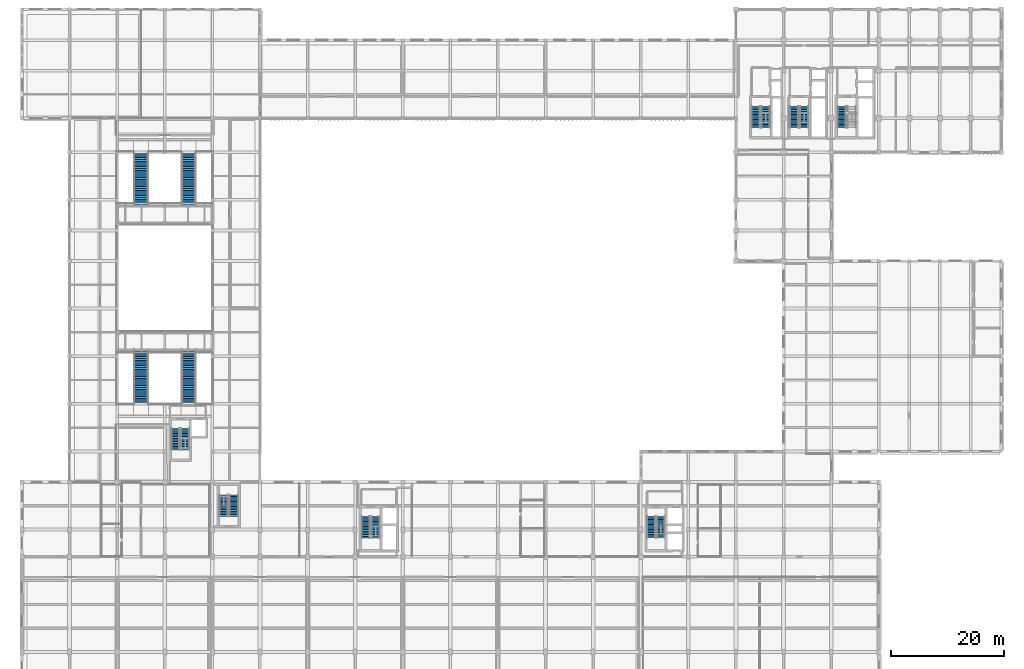
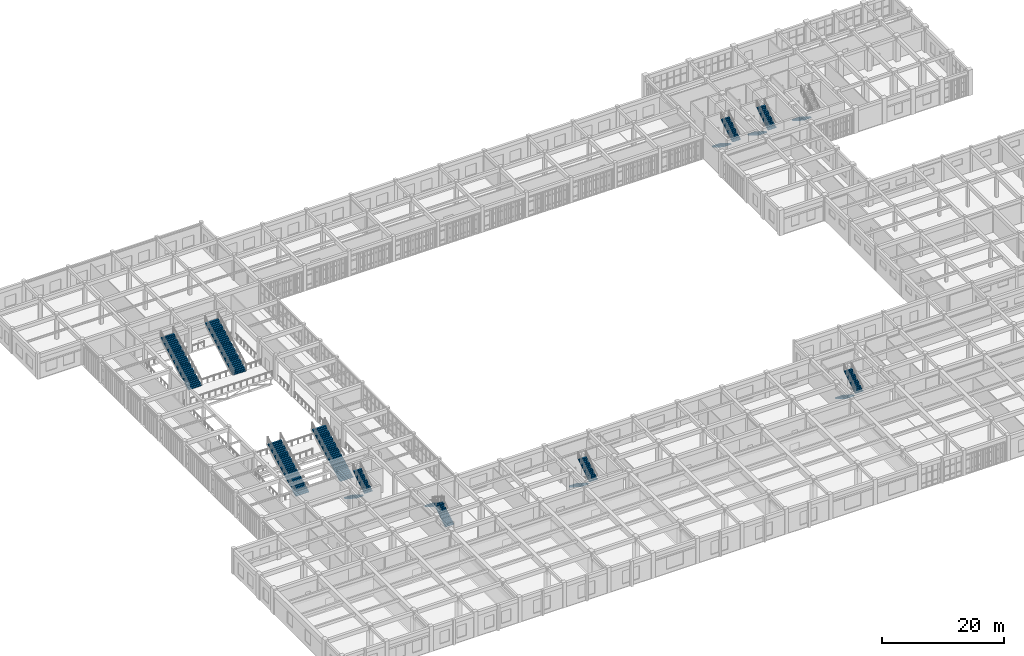
# One storey, part 98 of 106: 17 stair flights, 11 elements without a shape of their own.
"""IFC4 building model written with IfcOpenShell, lengths in metres."""

from ifc_helpers import new_model, si_unit, direction, frame, origin, place, context, subcontext, project, spatial, polyline, outline, extrude, material, type_object, element, aggregate, save


model = new_model("IFC4")

# Units and contexts
model_context = context("Model", 3, precision=1e-05, world=origin(), true_north=direction((0.0, 1.0)))
body_context = subcontext(model_context, "Body", "Model", "MODEL_VIEW")
ifc_project = project(units=[si_unit("LENGTHUNIT", "METRE"), si_unit("AREAUNIT", "SQUARE_METRE"), si_unit("VOLUMEUNIT", "CUBIC_METRE"), si_unit("PLANEANGLEUNIT", "RADIAN"), si_unit("MASSUNIT", "GRAM", prefix="KILO")], contexts=[model_context])

# Site, building, storey
site_placement = place(None, origin())
site = spatial("IfcSite", under=ifc_project, at=site_placement, CompositionType="ELEMENT")
building_placement = place(site_placement, origin())
building = spatial("IfcBuilding", under=site, at=building_placement, Name="Krzemoval Escarpment Law Courts", CompositionType="ELEMENT")
storey_placement = place(building_placement, frame((0.0, 0.0, 5.10009765625)))
storey = spatial("IfcBuildingStorey", under=building, at=storey_placement, Name="L01", CompositionType="ELEMENT", Elevation=5.10009765625)

# Stair, stair flights
ifc_material_1 = material(Name="Concrete C40/50", Category="concrete")
stair_type_1 = type_object("IfcStairType", Name="STR-CORE-1500", PredefinedType="HALF_TURN_STAIR", material=ifc_material_1)
stair_1_placement = place(storey_placement, origin())
stair_1 = element("IfcStair", 1, at=stair_1_placement, inside=storey, type_object=stair_type_1, Name="L01 ST5", PredefinedType="HALF_TURN_STAIR")
ifc_material_2 = material(Name="Concrete C40/50", Category="concrete")
stair_flight_type_1 = type_object("IfcStairFlightType", Name="STF-CORE-1500", PredefinedType="STRAIGHT", material=ifc_material_2)
stair_flight_1_placement = place(storey_placement, frame((27.10009765625, 44.85009765625, 0.0), z_axis=(0.0, 0.0, 1.0), x_axis=(0.0, -1.0, 0.0)))
stair_flight_1 = element("IfcStairFlight", 2, at=stair_flight_1_placement, type_object=stair_flight_type_1, Name="ST5 flight 1", NumberOfRisers=14, NumberOfTreads=13, PredefinedType="STRAIGHT", RiserHeight=0.182142857, TreadLength=0.29, context=body_context, shape_type="SweptSolid", body=[
    extrude(outline(polyline([(0.0, 0.0), (0.0, 0.18212890625), (0.2900390625, 0.18212890625), (0.2900390625, 0.3642578125), (0.580078125, 0.3642578125), (0.580078125, 0.54638671875), (0.8701171875, 0.54638671875), (0.8701171875, 0.728515625), (1.159912109375, 0.728515625), (1.159912109375, 0.91064453125), (1.449951171875, 0.91064453125), (1.449951171875, 1.0927734375), (1.739990234375, 1.0927734375), (1.739990234375, 1.27490234375), (2.030029296875, 1.27490234375), (2.030029296875, 1.45703125), (2.320068359375, 1.45703125), (2.320068359375, 1.639404296875), (2.610107421875, 1.639404296875), (2.610107421875, 1.821533203125), (2.89990234375, 1.821533203125), (2.89990234375, 2.003662109375), (3.18994140625, 2.003662109375), (3.18994140625, 2.185791015625), (3.47998046875, 2.185791015625), (3.47998046875, 2.367919921875), (3.77001953125, 2.367919921875), (3.77001953125, 2.550048828125), (3.77001953125, 2.19091796875), (0.28173828125, 0.0), (0.0, 0.0)])), frame((0.0, 0.75, 0.0), z_axis=(0.0, -1.0, 0.0), x_axis=(1.0, 0.0, 0.0)), (0.0, 0.0, 1.0), 1.5),
])
stair_flight_2_placement = place(storey_placement, frame((28.800048828125, 41.080078125, 2.5498046875), z_axis=(0.0, 0.0, 1.0), x_axis=(0.0, 1.0, 0.0)))
stair_flight_2 = element("IfcStairFlight", 3, at=stair_flight_2_placement, type_object=stair_flight_type_1, Name="ST5 flight 2", NumberOfRisers=14, NumberOfTreads=13, PredefinedType="STRAIGHT", RiserHeight=0.182142857, TreadLength=0.29, context=body_context, shape_type="SweptSolid", body=[
    extrude(outline(polyline([(0.0, 0.0), (0.0, 0.18212890625), (0.2900390625, 0.18212890625), (0.2900390625, 0.3642578125), (0.580078125, 0.3642578125), (0.580078125, 0.54638671875), (0.8701171875, 0.54638671875), (0.8701171875, 0.728515625), (1.159912109375, 0.728515625), (1.159912109375, 0.91064453125), (1.449951171875, 0.91064453125), (1.449951171875, 1.0927734375), (1.739990234375, 1.0927734375), (1.739990234375, 1.27490234375), (2.030029296875, 1.27490234375), (2.030029296875, 1.45703125), (2.320068359375, 1.45703125), (2.320068359375, 1.639404296875), (2.610107421875, 1.639404296875), (2.610107421875, 1.821533203125), (2.89990234375, 1.821533203125), (2.89990234375, 2.003662109375), (3.18994140625, 2.003662109375), (3.18994140625, 2.185791015625), (3.47998046875, 2.185791015625), (3.47998046875, 2.367919921875), (3.77001953125, 2.367919921875), (3.77001953125, 2.550048828125), (3.77001953125, 2.19091796875), (0.28173828125, 0.0), (0.0, 0.0)])), frame((0.0, 0.75, 0.0), z_axis=(0.0, -1.0, 0.0), x_axis=(1.0, 0.0, 0.0)), (0.0, 0.0, 1.0), 1.5),
])
aggregate(stair_1, [stair_flight_1, stair_flight_2])

stair_2_placement = place(storey_placement, origin())
stair_2 = element("IfcStair", 4, at=stair_2_placement, inside=storey, type_object=stair_type_1, Name="L01 ST6", PredefinedType="HALF_TURN_STAIR")
stair_flight_3_placement = place(storey_placement, frame((111.050048828125, 29.35009765625, 0.0), z_axis=(0.0, 0.0, 1.0), x_axis=(0.0, -1.0, 0.0)))
stair_flight_3 = element("IfcStairFlight", 5, at=stair_flight_3_placement, type_object=stair_flight_type_1, Name="ST6 flight 1", NumberOfRisers=14, NumberOfTreads=13, PredefinedType="STRAIGHT", RiserHeight=0.182142857, TreadLength=0.29, context=body_context, shape_type="SweptSolid", body=[
    extrude(outline(polyline([(0.0, 0.0), (0.0, 0.18212890625), (0.2900390625, 0.18212890625), (0.2900390625, 0.3642578125), (0.580078125, 0.3642578125), (0.580078125, 0.54638671875), (0.8701171875, 0.54638671875), (0.8701171875, 0.728515625), (1.159912109375, 0.728515625), (1.159912109375, 0.91064453125), (1.449951171875, 0.91064453125), (1.449951171875, 1.0927734375), (1.739990234375, 1.0927734375), (1.739990234375, 1.27490234375), (2.030029296875, 1.27490234375), (2.030029296875, 1.45703125), (2.320068359375, 1.45703125), (2.320068359375, 1.639404296875), (2.610107421875, 1.639404296875), (2.610107421875, 1.821533203125), (2.89990234375, 1.821533203125), (2.89990234375, 2.003662109375), (3.18994140625, 2.003662109375), (3.18994140625, 2.185791015625), (3.47998046875, 2.185791015625), (3.47998046875, 2.367919921875), (3.77001953125, 2.367919921875), (3.77001953125, 2.550048828125), (3.77001953125, 2.19091796875), (0.28173828125, 0.0), (0.0, 0.0)])), frame((0.0, 0.75, 0.0), z_axis=(0.0, -1.0, 0.0), x_axis=(1.0, 0.0, 0.0)), (0.0, 0.0, 1.0), 1.5),
])
stair_flight_4_placement = place(storey_placement, frame((112.75, 25.580078125, 2.5498046875), z_axis=(0.0, 0.0, 1.0), x_axis=(0.0, 1.0, 0.0)))
stair_flight_4 = element("IfcStairFlight", 6, at=stair_flight_4_placement, type_object=stair_flight_type_1, Name="ST6 flight 2", NumberOfRisers=14, NumberOfTreads=13, PredefinedType="STRAIGHT", RiserHeight=0.182142857, TreadLength=0.29, context=body_context, shape_type="SweptSolid", body=[
    extrude(outline(polyline([(0.0, 0.0), (0.0, 0.18212890625), (0.2900390625, 0.18212890625), (0.2900390625, 0.3642578125), (0.580078125, 0.3642578125), (0.580078125, 0.54638671875), (0.8701171875, 0.54638671875), (0.8701171875, 0.728515625), (1.159912109375, 0.728515625), (1.159912109375, 0.91064453125), (1.449951171875, 0.91064453125), (1.449951171875, 1.0927734375), (1.739990234375, 1.0927734375), (1.739990234375, 1.27490234375), (2.030029296875, 1.27490234375), (2.030029296875, 1.45703125), (2.320068359375, 1.45703125), (2.320068359375, 1.639404296875), (2.610107421875, 1.639404296875), (2.610107421875, 1.821533203125), (2.89990234375, 1.821533203125), (2.89990234375, 2.003662109375), (3.18994140625, 2.003662109375), (3.18994140625, 2.185791015625), (3.47998046875, 2.185791015625), (3.47998046875, 2.367919921875), (3.77001953125, 2.367919921875), (3.77001953125, 2.550048828125), (3.77001953125, 2.19091796875), (0.28173828125, 0.0), (0.0, 0.0)])), frame((0.0, 0.75, 0.0), z_axis=(0.0, -1.0, 0.0), x_axis=(1.0, 0.0, 0.0)), (0.0, 0.0, 1.0), 1.5),
])
aggregate(stair_2, [stair_flight_3, stair_flight_4])

ifc_material_3 = material(Name="Concrete C40/50", Category="concrete")
stair_type_2 = type_object("IfcStairType", Name="STR-CORE-1550", PredefinedType="HALF_TURN_STAIR", material=ifc_material_3)
stair_3_placement = place(storey_placement, origin())
stair_3 = element("IfcStair", 7, at=stair_3_placement, inside=storey, type_object=stair_type_2, Name="L01 ST1", PredefinedType="HALF_TURN_STAIR")
ifc_material_4 = material(Name="Concrete C40/50", Category="concrete")
stair_flight_type_2 = type_object("IfcStairFlightType", Name="STF-CORE-1550", PredefinedType="STRAIGHT", material=ifc_material_4)
stair_flight_5_placement = place(storey_placement, frame((129.52490234375, 101.699951171875, 0.0), z_axis=(0.0, 0.0, 1.0), x_axis=(0.0, -1.0, 0.0)))
stair_flight_5 = element("IfcStairFlight", 8, at=stair_flight_5_placement, type_object=stair_flight_type_2, Name="ST1 flight 1", NumberOfRisers=14, NumberOfTreads=13, PredefinedType="STRAIGHT", RiserHeight=0.182142857, TreadLength=0.29, context=body_context, shape_type="SweptSolid", body=[
    extrude(outline(polyline([(0.0, 0.0), (0.0, 0.18212890625), (0.2900390625, 0.18212890625), (0.2900390625, 0.3642578125), (0.580078125, 0.3642578125), (0.580078125, 0.54638671875), (0.8701171875, 0.54638671875), (0.8701171875, 0.728515625), (1.159912109375, 0.728515625), (1.159912109375, 0.91064453125), (1.449951171875, 0.91064453125), (1.449951171875, 1.0927734375), (1.739990234375, 1.0927734375), (1.739990234375, 1.27490234375), (2.030029296875, 1.27490234375), (2.030029296875, 1.45703125), (2.320068359375, 1.45703125), (2.320068359375, 1.639404296875), (2.610107421875, 1.639404296875), (2.610107421875, 1.821533203125), (2.89990234375, 1.821533203125), (2.89990234375, 2.003662109375), (3.18994140625, 2.003662109375), (3.18994140625, 2.185791015625), (3.47998046875, 2.185791015625), (3.47998046875, 2.367919921875), (3.77001953125, 2.367919921875), (3.77001953125, 2.550048828125), (3.77001953125, 2.19091796875), (0.28173828125, 0.0), (0.0, 0.0)])), frame((0.0, 0.77490234375, 0.0), z_axis=(0.0, -1.0, 0.0), x_axis=(1.0, 0.0, 0.0)), (0.0, 0.0, 1.0), 1.550048828125),
])
stair_flight_6_placement = place(storey_placement, frame((131.27490234375, 97.929931640625, 2.5498046875), z_axis=(0.0, 0.0, 1.0), x_axis=(0.0, 1.0, 0.0)))
stair_flight_6 = element("IfcStairFlight", 9, at=stair_flight_6_placement, type_object=stair_flight_type_2, Name="ST1 flight 2", NumberOfRisers=14, NumberOfTreads=13, PredefinedType="STRAIGHT", RiserHeight=0.182142857, TreadLength=0.29, context=body_context, shape_type="SweptSolid", body=[
    extrude(outline(polyline([(0.0, 0.0), (0.0, 0.18212890625), (0.2900390625, 0.18212890625), (0.2900390625, 0.3642578125), (0.580078125, 0.3642578125), (0.580078125, 0.54638671875), (0.8701171875, 0.54638671875), (0.8701171875, 0.728515625), (1.159912109375, 0.728515625), (1.159912109375, 0.91064453125), (1.449951171875, 0.91064453125), (1.449951171875, 1.0927734375), (1.739990234375, 1.0927734375), (1.739990234375, 1.27490234375), (2.030029296875, 1.27490234375), (2.030029296875, 1.45703125), (2.320068359375, 1.45703125), (2.320068359375, 1.639404296875), (2.610107421875, 1.639404296875), (2.610107421875, 1.821533203125), (2.89990234375, 1.821533203125), (2.89990234375, 2.003662109375), (3.18994140625, 2.003662109375), (3.18994140625, 2.185791015625), (3.47998046875, 2.185791015625), (3.47998046875, 2.367919921875), (3.77001953125, 2.367919921875), (3.77001953125, 2.550048828125), (3.77001953125, 2.19091796875), (0.28173828125, 0.0), (0.0, 0.0)])), frame((0.0, 0.77490234375, 0.0), z_axis=(0.0, -1.0, 0.0), x_axis=(1.0, 0.0, 0.0)), (0.0, 0.0, 1.0), 1.550048828125),
])
aggregate(stair_3, [stair_flight_5, stair_flight_6])

stair_4_placement = place(storey_placement, origin())
stair_4 = element("IfcStair", 10, at=stair_4_placement, inside=storey, type_object=stair_type_2, Name="L01 ST2", PredefinedType="HALF_TURN_STAIR")
stair_flight_7_placement = place(storey_placement, frame((136.27490234375, 101.699951171875, 0.0), z_axis=(0.0, 0.0, 1.0), x_axis=(0.0, -1.0, 0.0)))
stair_flight_7 = element("IfcStairFlight", 11, at=stair_flight_7_placement, type_object=stair_flight_type_2, Name="ST2 flight 1", NumberOfRisers=14, NumberOfTreads=13, PredefinedType="STRAIGHT", RiserHeight=0.182142857, TreadLength=0.29, context=body_context, shape_type="SweptSolid", body=[
    extrude(outline(polyline([(0.0, 0.0), (0.0, 0.18212890625), (0.2900390625, 0.18212890625), (0.2900390625, 0.3642578125), (0.580078125, 0.3642578125), (0.580078125, 0.54638671875), (0.8701171875, 0.54638671875), (0.8701171875, 0.728515625), (1.159912109375, 0.728515625), (1.159912109375, 0.91064453125), (1.449951171875, 0.91064453125), (1.449951171875, 1.0927734375), (1.739990234375, 1.0927734375), (1.739990234375, 1.27490234375), (2.030029296875, 1.27490234375), (2.030029296875, 1.45703125), (2.320068359375, 1.45703125), (2.320068359375, 1.639404296875), (2.610107421875, 1.639404296875), (2.610107421875, 1.821533203125), (2.89990234375, 1.821533203125), (2.89990234375, 2.003662109375), (3.18994140625, 2.003662109375), (3.18994140625, 2.185791015625), (3.47998046875, 2.185791015625), (3.47998046875, 2.367919921875), (3.77001953125, 2.367919921875), (3.77001953125, 2.550048828125), (3.77001953125, 2.19091796875), (0.28173828125, 0.0), (0.0, 0.0)])), frame((0.0, 0.77490234375, 0.0), z_axis=(0.0, -1.0, 0.0), x_axis=(1.0, 0.0, 0.0)), (0.0, 0.0, 1.0), 1.550048828125),
])
stair_flight_8_placement = place(storey_placement, frame((138.02490234375, 97.929931640625, 2.5498046875), z_axis=(0.0, 0.0, 1.0), x_axis=(0.0, 1.0, 0.0)))
stair_flight_8 = element("IfcStairFlight", 12, at=stair_flight_8_placement, type_object=stair_flight_type_2, Name="ST2 flight 2", NumberOfRisers=14, NumberOfTreads=13, PredefinedType="STRAIGHT", RiserHeight=0.182142857, TreadLength=0.29, context=body_context, shape_type="SweptSolid", body=[
    extrude(outline(polyline([(0.0, 0.0), (0.0, 0.18212890625), (0.2900390625, 0.18212890625), (0.2900390625, 0.3642578125), (0.580078125, 0.3642578125), (0.580078125, 0.54638671875), (0.8701171875, 0.54638671875), (0.8701171875, 0.728515625), (1.159912109375, 0.728515625), (1.159912109375, 0.91064453125), (1.449951171875, 0.91064453125), (1.449951171875, 1.0927734375), (1.739990234375, 1.0927734375), (1.739990234375, 1.27490234375), (2.030029296875, 1.27490234375), (2.030029296875, 1.45703125), (2.320068359375, 1.45703125), (2.320068359375, 1.639404296875), (2.610107421875, 1.639404296875), (2.610107421875, 1.821533203125), (2.89990234375, 1.821533203125), (2.89990234375, 2.003662109375), (3.18994140625, 2.003662109375), (3.18994140625, 2.185791015625), (3.47998046875, 2.185791015625), (3.47998046875, 2.367919921875), (3.77001953125, 2.367919921875), (3.77001953125, 2.550048828125), (3.77001953125, 2.19091796875), (0.28173828125, 0.0), (0.0, 0.0)])), frame((0.0, 0.77490234375, 0.0), z_axis=(0.0, -1.0, 0.0), x_axis=(1.0, 0.0, 0.0)), (0.0, 0.0, 1.0), 1.550048828125),
])
aggregate(stair_4, [stair_flight_7, stair_flight_8])

# Stair, stair flight
stair_5_placement = place(storey_placement, origin())
stair_5 = element("IfcStair", 13, at=stair_5_placement, inside=storey, type_object=stair_type_2, Name="L01 ST3", PredefinedType="HALF_TURN_STAIR")
stair_flight_9_placement = place(storey_placement, frame((144.675048828125, 101.699951171875, 0.0), z_axis=(0.0, 0.0, 1.0), x_axis=(0.0, -1.0, 0.0)))
stair_flight_9 = element("IfcStairFlight", 14, at=stair_flight_9_placement, type_object=stair_flight_type_2, Name="ST3 flight 1", NumberOfRisers=14, NumberOfTreads=13, PredefinedType="STRAIGHT", RiserHeight=0.182142857, TreadLength=0.29, context=body_context, shape_type="SweptSolid", body=[
    extrude(outline(polyline([(0.0, 0.0), (0.0, 0.18212890625), (0.2900390625, 0.18212890625), (0.2900390625, 0.3642578125), (0.580078125, 0.3642578125), (0.580078125, 0.54638671875), (0.8701171875, 0.54638671875), (0.8701171875, 0.728515625), (1.159912109375, 0.728515625), (1.159912109375, 0.91064453125), (1.449951171875, 0.91064453125), (1.449951171875, 1.0927734375), (1.739990234375, 1.0927734375), (1.739990234375, 1.27490234375), (2.030029296875, 1.27490234375), (2.030029296875, 1.45703125), (2.320068359375, 1.45703125), (2.320068359375, 1.639404296875), (2.610107421875, 1.639404296875), (2.610107421875, 1.821533203125), (2.89990234375, 1.821533203125), (2.89990234375, 2.003662109375), (3.18994140625, 2.003662109375), (3.18994140625, 2.185791015625), (3.47998046875, 2.185791015625), (3.47998046875, 2.367919921875), (3.77001953125, 2.367919921875), (3.77001953125, 2.550048828125), (3.77001953125, 2.19091796875), (0.28173828125, 0.0), (0.0, 0.0)])), frame((0.0, 0.77490234375, 0.0), z_axis=(0.0, -1.0, 0.0), x_axis=(1.0, 0.0, 0.0)), (0.0, 0.0, 1.0), 1.550048828125),
])
aggregate(stair_5, [stair_flight_9])

# Stair, stair flights
stair_6_placement = place(storey_placement, origin())
stair_6 = element("IfcStair", 15, at=stair_6_placement, inside=storey, type_object=stair_type_2, Name="L01 ST4", PredefinedType="HALF_TURN_STAIR")
stair_flight_10_placement = place(storey_placement, frame((60.675048828125, 29.300048828125, 0.0), z_axis=(0.0, 0.0, 1.0), x_axis=(0.0, -1.0, 0.0)))
stair_flight_10 = element("IfcStairFlight", 16, at=stair_flight_10_placement, type_object=stair_flight_type_2, Name="ST4 flight 1", NumberOfRisers=14, NumberOfTreads=13, PredefinedType="STRAIGHT", RiserHeight=0.182142857, TreadLength=0.29, context=body_context, shape_type="SweptSolid", body=[
    extrude(outline(polyline([(0.0, 0.0), (0.0, 0.18212890625), (0.2900390625, 0.18212890625), (0.2900390625, 0.3642578125), (0.580078125, 0.3642578125), (0.580078125, 0.54638671875), (0.8701171875, 0.54638671875), (0.8701171875, 0.728515625), (1.159912109375, 0.728515625), (1.159912109375, 0.91064453125), (1.449951171875, 0.91064453125), (1.449951171875, 1.0927734375), (1.739990234375, 1.0927734375), (1.739990234375, 1.27490234375), (2.030029296875, 1.27490234375), (2.030029296875, 1.45703125), (2.320068359375, 1.45703125), (2.320068359375, 1.639404296875), (2.610107421875, 1.639404296875), (2.610107421875, 1.821533203125), (2.89990234375, 1.821533203125), (2.89990234375, 2.003662109375), (3.18994140625, 2.003662109375), (3.18994140625, 2.185791015625), (3.47998046875, 2.185791015625), (3.47998046875, 2.367919921875), (3.77001953125, 2.367919921875), (3.77001953125, 2.550048828125), (3.77001953125, 2.19091796875), (0.28173828125, 0.0), (0.0, 0.0)])), frame((0.0, 0.77490234375, 0.0), z_axis=(0.0, -1.0, 0.0), x_axis=(1.0, 0.0, 0.0)), (0.0, 0.0, 1.0), 1.550048828125),
])
stair_flight_11_placement = place(storey_placement, frame((62.425048828125, 25.530029296875, 2.5498046875), z_axis=(0.0, 0.0, 1.0), x_axis=(0.0, 1.0, 0.0)))
stair_flight_11 = element("IfcStairFlight", 17, at=stair_flight_11_placement, type_object=stair_flight_type_2, Name="ST4 flight 2", NumberOfRisers=14, NumberOfTreads=13, PredefinedType="STRAIGHT", RiserHeight=0.182142857, TreadLength=0.29, context=body_context, shape_type="SweptSolid", body=[
    extrude(outline(polyline([(0.0, 0.0), (0.0, 0.18212890625), (0.2900390625, 0.18212890625), (0.2900390625, 0.3642578125), (0.580078125, 0.3642578125), (0.580078125, 0.54638671875), (0.8701171875, 0.54638671875), (0.8701171875, 0.728515625), (1.159912109375, 0.728515625), (1.159912109375, 0.91064453125), (1.449951171875, 0.91064453125), (1.449951171875, 1.0927734375), (1.739990234375, 1.0927734375), (1.739990234375, 1.27490234375), (2.030029296875, 1.27490234375), (2.030029296875, 1.45703125), (2.320068359375, 1.45703125), (2.320068359375, 1.639404296875), (2.610107421875, 1.639404296875), (2.610107421875, 1.821533203125), (2.89990234375, 1.821533203125), (2.89990234375, 2.003662109375), (3.18994140625, 2.003662109375), (3.18994140625, 2.185791015625), (3.47998046875, 2.185791015625), (3.47998046875, 2.367919921875), (3.77001953125, 2.367919921875), (3.77001953125, 2.550048828125), (3.77001953125, 2.19091796875), (0.28173828125, 0.0), (0.0, 0.0)])), frame((0.0, 0.77490234375, 0.0), z_axis=(0.0, -1.0, 0.0), x_axis=(1.0, 0.0, 0.0)), (0.0, 0.0, 1.0), 1.550048828125),
])
aggregate(stair_6, [stair_flight_10, stair_flight_11])

ifc_material_5 = material(Name="Concrete C40/50", Category="concrete")
stair_type_3 = type_object("IfcStairType", Name="STR-CORE-1600", PredefinedType="HALF_TURN_STAIR", material=ifc_material_5)
stair_7_placement = place(storey_placement, origin())
stair_7 = element("IfcStair", 18, at=stair_7_placement, inside=storey, type_object=stair_type_3, Name="L01 ST9", PredefinedType="HALF_TURN_STAIR")
ifc_material_6 = material(Name="Concrete C40/50", Category="concrete")
stair_flight_type_3 = type_object("IfcStairFlightType", Name="STF-CORE-1600", PredefinedType="STRAIGHT", material=ifc_material_6)
stair_flight_12_placement = place(storey_placement, frame((37.39990234375, 29.35009765625, 0.0), z_axis=(0.0, 0.0, 1.0), x_axis=(0.0, 1.0, 0.0)))
stair_flight_12 = element("IfcStairFlight", 19, at=stair_flight_12_placement, type_object=stair_flight_type_3, Name="ST9 flight 1", NumberOfRisers=14, NumberOfTreads=13, PredefinedType="STRAIGHT", RiserHeight=0.182142857, TreadLength=0.29, context=body_context, shape_type="SweptSolid", body=[
    extrude(outline(polyline([(0.0, 0.0), (0.0, 0.18212890625), (0.2900390625, 0.18212890625), (0.2900390625, 0.3642578125), (0.580078125, 0.3642578125), (0.580078125, 0.54638671875), (0.8701171875, 0.54638671875), (0.8701171875, 0.728515625), (1.159912109375, 0.728515625), (1.159912109375, 0.91064453125), (1.449951171875, 0.91064453125), (1.449951171875, 1.0927734375), (1.739990234375, 1.0927734375), (1.739990234375, 1.27490234375), (2.030029296875, 1.27490234375), (2.030029296875, 1.45703125), (2.320068359375, 1.45703125), (2.320068359375, 1.639404296875), (2.610107421875, 1.639404296875), (2.610107421875, 1.821533203125), (2.89990234375, 1.821533203125), (2.89990234375, 2.003662109375), (3.18994140625, 2.003662109375), (3.18994140625, 2.185791015625), (3.47998046875, 2.185791015625), (3.47998046875, 2.367919921875), (3.77001953125, 2.367919921875), (3.77001953125, 2.550048828125), (3.77001953125, 2.19091796875), (0.28173828125, 0.0), (0.0, 0.0)])), frame((0.0, 0.800048828125, 0.0), z_axis=(0.0, -1.0, 0.0), x_axis=(1.0, 0.0, 0.0)), (0.0, 0.0, 1.0), 1.60009765625),
])
stair_flight_13_placement = place(storey_placement, frame((35.60009765625, 33.1201171875, 2.5498046875), z_axis=(0.0, 0.0, 1.0), x_axis=(0.0, -1.0, 0.0)))
stair_flight_13 = element("IfcStairFlight", 20, at=stair_flight_13_placement, type_object=stair_flight_type_3, Name="ST9 flight 2", NumberOfRisers=14, NumberOfTreads=13, PredefinedType="STRAIGHT", RiserHeight=0.182142857, TreadLength=0.29, context=body_context, shape_type="SweptSolid", body=[
    extrude(outline(polyline([(0.0, 0.0), (0.0, 0.18212890625), (0.2900390625, 0.18212890625), (0.2900390625, 0.3642578125), (0.580078125, 0.3642578125), (0.580078125, 0.54638671875), (0.8701171875, 0.54638671875), (0.8701171875, 0.728515625), (1.159912109375, 0.728515625), (1.159912109375, 0.91064453125), (1.449951171875, 0.91064453125), (1.449951171875, 1.0927734375), (1.739990234375, 1.0927734375), (1.739990234375, 1.27490234375), (2.030029296875, 1.27490234375), (2.030029296875, 1.45703125), (2.320068359375, 1.45703125), (2.320068359375, 1.639404296875), (2.610107421875, 1.639404296875), (2.610107421875, 1.821533203125), (2.89990234375, 1.821533203125), (2.89990234375, 2.003662109375), (3.18994140625, 2.003662109375), (3.18994140625, 2.185791015625), (3.47998046875, 2.185791015625), (3.47998046875, 2.367919921875), (3.77001953125, 2.367919921875), (3.77001953125, 2.550048828125), (3.77001953125, 2.19091796875), (0.28173828125, 0.0), (0.0, 0.0)])), frame((0.0, 0.800048828125, 0.0), z_axis=(0.0, -1.0, 0.0), x_axis=(1.0, 0.0, 0.0)), (0.0, 0.0, 1.0), 1.60009765625),
])
aggregate(stair_7, [stair_flight_12, stair_flight_13])

# Stair, stair flight
ifc_material_7 = material(Name="Concrete C40/50", Category="concrete")
stair_type_4 = type_object("IfcStairType", Name="STR-MON-2500", PredefinedType="STRAIGHT_RUN_STAIR", material=ifc_material_7)
stair_8_placement = place(storey_placement, origin())
stair_8 = element("IfcStair", 21, at=stair_8_placement, inside=storey, type_object=stair_type_4, Name="Monumental Public Hall Stair ST7-L01", PredefinedType="STRAIGHT_RUN_STAIR")
ifc_material_8 = material(Name="Concrete C40/50", Category="concrete")
stair_flight_type_4 = type_object("IfcStairFlightType", Name="STF-MON-2500", PredefinedType="STRAIGHT", material=ifc_material_8)
stair_flight_14_placement = place(storey_placement, frame((21.0, 49.199951171875, 0.0), z_axis=(0.0, 0.0, 1.0), x_axis=(0.0, 1.0, 0.0)))
stair_flight_14 = element("IfcStairFlight", 22, at=stair_flight_14_placement, type_object=stair_flight_type_4, Name="ST7-L01 flight 1", NumberOfRisers=30, NumberOfTreads=29, PredefinedType="STRAIGHT", RiserHeight=0.17, TreadLength=0.32, context=body_context, shape_type="SweptSolid", body=[
    extrude(outline(polyline([(0.0, 0.0), (0.0, 0.169921875), (0.320068359375, 0.169921875), (0.320068359375, 0.340087890625), (0.639892578125, 0.340087890625), (0.639892578125, 0.510009765625), (0.9599609375, 0.510009765625), (0.9599609375, 0.679931640625), (1.280029296875, 0.679931640625), (1.280029296875, 0.85009765625), (1.60009765625, 0.85009765625), (1.60009765625, 1.02001953125), (1.919921875, 1.02001953125), (1.919921875, 1.18994140625), (2.239990234375, 1.18994140625), (2.239990234375, 1.360107421875), (2.56005859375, 1.360107421875), (2.56005859375, 1.530029296875), (2.8798828125, 1.530029296875), (2.8798828125, 1.699951171875), (3.199951171875, 1.699951171875), (3.199951171875, 1.8701171875), (3.52001953125, 1.8701171875), (3.52001953125, 2.0400390625), (3.840087890625, 2.0400390625), (3.840087890625, 2.2099609375), (4.159912109375, 2.2099609375), (4.159912109375, 2.3798828125), (4.47998046875, 2.3798828125), (4.47998046875, 2.550048828125), (4.800048828125, 2.550048828125), (4.800048828125, 2.719970703125), (5.1201171875, 2.719970703125), (5.1201171875, 2.889892578125), (5.43994140625, 2.889892578125), (5.43994140625, 3.06005859375), (5.760009765625, 3.06005859375), (5.760009765625, 3.22998046875), (6.080078125, 3.22998046875), (6.080078125, 3.39990234375), (6.39990234375, 3.39990234375), (6.39990234375, 3.570068359375), (6.719970703125, 3.570068359375), (6.719970703125, 3.739990234375), (7.0400390625, 3.739990234375), (7.0400390625, 3.909912109375), (7.360107421875, 3.909912109375), (7.360107421875, 4.080078125), (7.679931640625, 4.080078125), (7.679931640625, 4.25), (8.0, 4.25), (8.0, 4.419921875), (8.320068359375, 4.419921875), (8.320068359375, 4.590087890625), (8.639892578125, 4.590087890625), (8.639892578125, 4.760009765625), (8.9599609375, 4.760009765625), (8.9599609375, 4.929931640625), (9.280029296875, 4.929931640625), (9.280029296875, 5.10009765625), (9.280029296875, 4.726318359375), (0.383544921875, 0.0), (0.0, 0.0)])), frame((0.0, 1.25, 0.0), z_axis=(0.0, -1.0, 0.0), x_axis=(1.0, 0.0, 0.0)), (0.0, 0.0, 1.0), 2.5),
])
aggregate(stair_8, [stair_flight_14])

stair_9_placement = place(storey_placement, origin())
stair_9 = element("IfcStair", 23, at=stair_9_placement, inside=storey, type_object=stair_type_4, Name="Monumental Public Hall Stair ST8-L01", PredefinedType="STRAIGHT_RUN_STAIR")
stair_flight_15_placement = place(storey_placement, frame((29.39990234375, 49.199951171875, 0.0), z_axis=(0.0, 0.0, 1.0), x_axis=(0.0, 1.0, 0.0)))
stair_flight_15 = element("IfcStairFlight", 24, at=stair_flight_15_placement, type_object=stair_flight_type_4, Name="ST8-L01 flight 1", NumberOfRisers=30, NumberOfTreads=29, PredefinedType="STRAIGHT", RiserHeight=0.17, TreadLength=0.32, context=body_context, shape_type="SweptSolid", body=[
    extrude(outline(polyline([(0.0, 0.0), (0.0, 0.169921875), (0.320068359375, 0.169921875), (0.320068359375, 0.340087890625), (0.639892578125, 0.340087890625), (0.639892578125, 0.510009765625), (0.9599609375, 0.510009765625), (0.9599609375, 0.679931640625), (1.280029296875, 0.679931640625), (1.280029296875, 0.85009765625), (1.60009765625, 0.85009765625), (1.60009765625, 1.02001953125), (1.919921875, 1.02001953125), (1.919921875, 1.18994140625), (2.239990234375, 1.18994140625), (2.239990234375, 1.360107421875), (2.56005859375, 1.360107421875), (2.56005859375, 1.530029296875), (2.8798828125, 1.530029296875), (2.8798828125, 1.699951171875), (3.199951171875, 1.699951171875), (3.199951171875, 1.8701171875), (3.52001953125, 1.8701171875), (3.52001953125, 2.0400390625), (3.840087890625, 2.0400390625), (3.840087890625, 2.2099609375), (4.159912109375, 2.2099609375), (4.159912109375, 2.3798828125), (4.47998046875, 2.3798828125), (4.47998046875, 2.550048828125), (4.800048828125, 2.550048828125), (4.800048828125, 2.719970703125), (5.1201171875, 2.719970703125), (5.1201171875, 2.889892578125), (5.43994140625, 2.889892578125), (5.43994140625, 3.06005859375), (5.760009765625, 3.06005859375), (5.760009765625, 3.22998046875), (6.080078125, 3.22998046875), (6.080078125, 3.39990234375), (6.39990234375, 3.39990234375), (6.39990234375, 3.570068359375), (6.719970703125, 3.570068359375), (6.719970703125, 3.739990234375), (7.0400390625, 3.739990234375), (7.0400390625, 3.909912109375), (7.360107421875, 3.909912109375), (7.360107421875, 4.080078125), (7.679931640625, 4.080078125), (7.679931640625, 4.25), (8.0, 4.25), (8.0, 4.419921875), (8.320068359375, 4.419921875), (8.320068359375, 4.590087890625), (8.639892578125, 4.590087890625), (8.639892578125, 4.760009765625), (8.9599609375, 4.760009765625), (8.9599609375, 4.929931640625), (9.280029296875, 4.929931640625), (9.280029296875, 5.10009765625), (9.280029296875, 4.726318359375), (0.383544921875, 0.0), (0.0, 0.0)])), frame((0.0, 1.25, 0.0), z_axis=(0.0, -1.0, 0.0), x_axis=(1.0, 0.0, 0.0)), (0.0, 0.0, 1.0), 2.5),
])
aggregate(stair_9, [stair_flight_15])

stair_10_placement = place(storey_placement, origin())
stair_10 = element("IfcStair", 25, at=stair_10_placement, inside=storey, type_object=stair_type_4, Name="Monumental Public Hall Stair ST10-L01", PredefinedType="STRAIGHT_RUN_STAIR")
stair_flight_16_placement = place(storey_placement, frame((21.0, 84.320068359375, 0.0), z_axis=(0.0, 0.0, 1.0), x_axis=(0.0, 1.0, 0.0)))
stair_flight_16 = element("IfcStairFlight", 26, at=stair_flight_16_placement, type_object=stair_flight_type_4, Name="ST10-L01 flight 1", NumberOfRisers=30, NumberOfTreads=29, PredefinedType="STRAIGHT", RiserHeight=0.17, TreadLength=0.32, context=body_context, shape_type="SweptSolid", body=[
    extrude(outline(polyline([(0.0, 0.0), (0.0, 0.169921875), (0.320068359375, 0.169921875), (0.320068359375, 0.340087890625), (0.639892578125, 0.340087890625), (0.639892578125, 0.510009765625), (0.9599609375, 0.510009765625), (0.9599609375, 0.679931640625), (1.280029296875, 0.679931640625), (1.280029296875, 0.85009765625), (1.60009765625, 0.85009765625), (1.60009765625, 1.02001953125), (1.919921875, 1.02001953125), (1.919921875, 1.18994140625), (2.239990234375, 1.18994140625), (2.239990234375, 1.360107421875), (2.56005859375, 1.360107421875), (2.56005859375, 1.530029296875), (2.8798828125, 1.530029296875), (2.8798828125, 1.699951171875), (3.199951171875, 1.699951171875), (3.199951171875, 1.8701171875), (3.52001953125, 1.8701171875), (3.52001953125, 2.0400390625), (3.840087890625, 2.0400390625), (3.840087890625, 2.2099609375), (4.159912109375, 2.2099609375), (4.159912109375, 2.3798828125), (4.47998046875, 2.3798828125), (4.47998046875, 2.550048828125), (4.800048828125, 2.550048828125), (4.800048828125, 2.719970703125), (5.1201171875, 2.719970703125), (5.1201171875, 2.889892578125), (5.43994140625, 2.889892578125), (5.43994140625, 3.06005859375), (5.760009765625, 3.06005859375), (5.760009765625, 3.22998046875), (6.080078125, 3.22998046875), (6.080078125, 3.39990234375), (6.39990234375, 3.39990234375), (6.39990234375, 3.570068359375), (6.719970703125, 3.570068359375), (6.719970703125, 3.739990234375), (7.0400390625, 3.739990234375), (7.0400390625, 3.909912109375), (7.360107421875, 3.909912109375), (7.360107421875, 4.080078125), (7.679931640625, 4.080078125), (7.679931640625, 4.25), (8.0, 4.25), (8.0, 4.419921875), (8.320068359375, 4.419921875), (8.320068359375, 4.590087890625), (8.639892578125, 4.590087890625), (8.639892578125, 4.760009765625), (8.9599609375, 4.760009765625), (8.9599609375, 4.929931640625), (9.280029296875, 4.929931640625), (9.280029296875, 5.10009765625), (9.280029296875, 4.726318359375), (0.383544921875, 0.0), (0.0, 0.0)])), frame((0.0, 1.25, 0.0), z_axis=(0.0, -1.0, 0.0), x_axis=(1.0, 0.0, 0.0)), (0.0, 0.0, 1.0), 2.5),
])
aggregate(stair_10, [stair_flight_16])

stair_11_placement = place(storey_placement, origin())
stair_11 = element("IfcStair", 27, at=stair_11_placement, inside=storey, type_object=stair_type_4, Name="Monumental Public Hall Stair ST11-L01", PredefinedType="STRAIGHT_RUN_STAIR")
stair_flight_17_placement = place(storey_placement, frame((29.39990234375, 84.320068359375, 0.0), z_axis=(0.0, 0.0, 1.0), x_axis=(0.0, 1.0, 0.0)))
stair_flight_17 = element("IfcStairFlight", 28, at=stair_flight_17_placement, type_object=stair_flight_type_4, Name="ST11-L01 flight 1", NumberOfRisers=30, NumberOfTreads=29, PredefinedType="STRAIGHT", RiserHeight=0.17, TreadLength=0.32, context=body_context, shape_type="SweptSolid", body=[
    extrude(outline(polyline([(0.0, 0.0), (0.0, 0.169921875), (0.320068359375, 0.169921875), (0.320068359375, 0.340087890625), (0.639892578125, 0.340087890625), (0.639892578125, 0.510009765625), (0.9599609375, 0.510009765625), (0.9599609375, 0.679931640625), (1.280029296875, 0.679931640625), (1.280029296875, 0.85009765625), (1.60009765625, 0.85009765625), (1.60009765625, 1.02001953125), (1.919921875, 1.02001953125), (1.919921875, 1.18994140625), (2.239990234375, 1.18994140625), (2.239990234375, 1.360107421875), (2.56005859375, 1.360107421875), (2.56005859375, 1.530029296875), (2.8798828125, 1.530029296875), (2.8798828125, 1.699951171875), (3.199951171875, 1.699951171875), (3.199951171875, 1.8701171875), (3.52001953125, 1.8701171875), (3.52001953125, 2.0400390625), (3.840087890625, 2.0400390625), (3.840087890625, 2.2099609375), (4.159912109375, 2.2099609375), (4.159912109375, 2.3798828125), (4.47998046875, 2.3798828125), (4.47998046875, 2.550048828125), (4.800048828125, 2.550048828125), (4.800048828125, 2.719970703125), (5.1201171875, 2.719970703125), (5.1201171875, 2.889892578125), (5.43994140625, 2.889892578125), (5.43994140625, 3.06005859375), (5.760009765625, 3.06005859375), (5.760009765625, 3.22998046875), (6.080078125, 3.22998046875), (6.080078125, 3.39990234375), (6.39990234375, 3.39990234375), (6.39990234375, 3.570068359375), (6.719970703125, 3.570068359375), (6.719970703125, 3.739990234375), (7.0400390625, 3.739990234375), (7.0400390625, 3.909912109375), (7.360107421875, 3.909912109375), (7.360107421875, 4.080078125), (7.679931640625, 4.080078125), (7.679931640625, 4.25), (8.0, 4.25), (8.0, 4.419921875), (8.320068359375, 4.419921875), (8.320068359375, 4.590087890625), (8.639892578125, 4.590087890625), (8.639892578125, 4.760009765625), (8.9599609375, 4.760009765625), (8.9599609375, 4.929931640625), (9.280029296875, 4.929931640625), (9.280029296875, 5.10009765625), (9.280029296875, 4.726318359375), (0.383544921875, 0.0), (0.0, 0.0)])), frame((0.0, 1.25, 0.0), z_axis=(0.0, -1.0, 0.0), x_axis=(1.0, 0.0, 0.0)), (0.0, 0.0, 1.0), 2.5),
])
aggregate(stair_11, [stair_flight_17])

save(model, "model.ifc")
